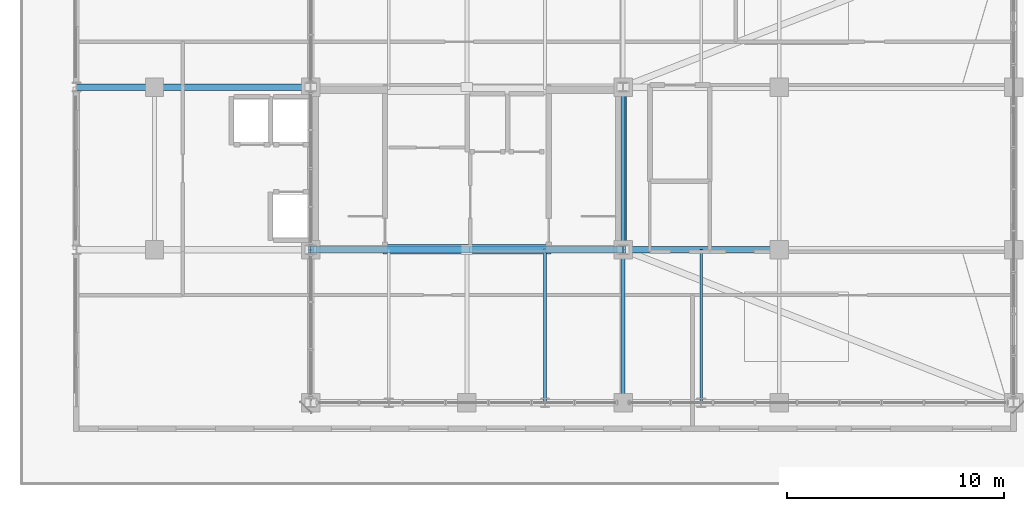
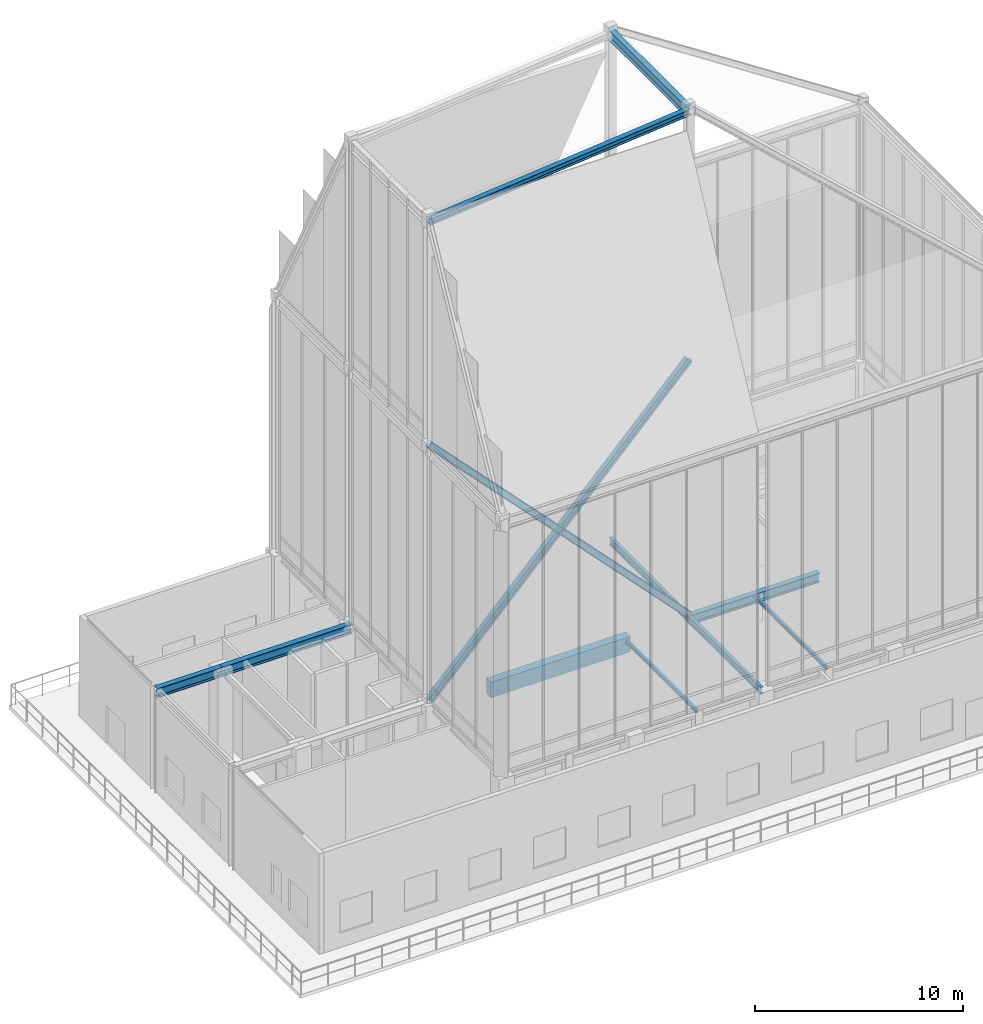
# One storey, part 16 of 49: 9 beams, 4 members.
"""IFC4 building model written with IfcOpenShell, lengths in metres."""

from ifc_helpers import new_model, si_unit, direction, frame, origin, origin_2d, place, context, subcontext, project, spatial, rectangle, i_section, extrude, source, transform, mapped, material, material_profile, profile_set, type_object, element, save


model = new_model("IFC4")

# Units and contexts
model_context = context("Model", 3, precision=1e-05, world=origin(), true_north=direction((0.0, 1.0)))
body_context = subcontext(model_context, "Body", "Model", "MODEL_VIEW")
ifc_project = project(units=[si_unit("LENGTHUNIT", "METRE"), si_unit("AREAUNIT", "SQUARE_METRE"), si_unit("VOLUMEUNIT", "CUBIC_METRE"), si_unit("PLANEANGLEUNIT", "RADIAN"), si_unit("MASSUNIT", "GRAM", prefix="KILO")], contexts=[model_context])

# Site, building, storey
site_placement = place(None, origin())
site = spatial("IfcSite", under=ifc_project, at=site_placement, CompositionType="ELEMENT")
building_placement = place(site_placement, origin())
building = spatial("IfcBuilding", under=site, at=building_placement, Name="Kaliganga Portal Commons", CompositionType="ELEMENT")
storey_placement = place(building_placement, frame((0.0, 0.0, 298.0)))
storey = spatial("IfcBuildingStorey", under=building, at=storey_placement, Name="L77", CompositionType="ELEMENT", Elevation=298.0)

# Beams
ifc_material_1 = material(Name="Concrete C50/60", Category="concrete")
ifc_material_profile_1 = material_profile(ifc_material_1, rectangle(XDim=0.449951171875, YDim=0.89990234375, at=origin_2d()), Name="RC 450x900")
ifc_profile_set_1 = profile_set([ifc_material_profile_1], Name="Concrete C50/60")
beam_type_1 = type_object("IfcBeamType", Name="BM-CPL-900", PredefinedType="LINTEL", material=ifc_profile_set_1)
shared_shape_1 = source(origin(), body_context, "Body", "SweptSolid", [
    extrude(rectangle(XDim=0.449951171875, YDim=0.89990234375, at=origin_2d()), origin(), (0.0, 0.0, 1.0), 7.739990234375),
])
beam_1_placement = place(storey_placement, frame((17.72998046875, 28.675048828125, 5.550048828125), z_axis=(1.0, 0.0, 0.0), x_axis=(0.0, 1.0, 0.0)))
element("IfcBeam", 1, at=beam_1_placement, inside=storey, type_object=beam_type_1, Name="BM CPL COREA L77 S", PredefinedType="LINTEL", context=body_context, shape_type="MappedRepresentation", body=[
    mapped(shared_shape_1, transform((0.0, 0.0, 0.0), x_axis=(1.0, 0.0, 0.0), y_axis=(0.0, 1.0, 0.0), z_axis=(0.0, 0.0, 1.0), scale=1.0)),
])
ifc_material_2 = material(Name="Structural steel S355J2", Category="steel")
ifc_material_profile_2 = material_profile(ifc_material_2, i_section(OverallWidth=0.300048828125, OverallDepth=0.550048828125, WebThickness=0.014892578125, FlangeThickness=0.029052734375, FilletRadius=0.027099609375, at=origin_2d()), Name="HE 550 B")
ifc_profile_set_2 = profile_set([ifc_material_profile_2], Name="Structural steel S355J2 wide-flange")
beam_type_2 = type_object("IfcBeamType", Name="BM-GIRD-550", PredefinedType="USERDEFINED", material=ifc_profile_set_2)
shared_shape_2 = source(origin(), body_context, "Body", "SweptSolid", [
    extrude(i_section(OverallWidth=0.300048828125, OverallDepth=0.550048828125, WebThickness=0.014892578125, FlangeThickness=0.029052734375, FilletRadius=0.027099609375, at=origin_2d()), origin(), (0.0, 0.0, 1.0), 7.199951171875),
])
for number, where, z_axis, x_axis, name in (
    (2, (7.199951171875, 36.14990234375, 5.72509765625), (1.0, 0.0, 0.0), (0.0, 1.0, 0.0), "BM G L77 WAH_N 2"),
    (3, (28.800048828125, 28.64990234375, 5.72509765625), (1.0, 0.0, 0.0), (0.0, 1.0, 0.0), "BM G L77 WAE_S 1"),
):
    element("IfcBeam", number, at=place(storey_placement, frame(where, z_axis=z_axis, x_axis=x_axis)), inside=storey, type_object=beam_type_2, Name=name, ObjectType="GIRDER", PredefinedType="USERDEFINED", context=body_context, shape_type="MappedRepresentation", body=[
        mapped(shared_shape_2, transform((0.0, 0.0, 0.0), x_axis=(1.0, 0.0, 0.0), y_axis=(0.0, 1.0, 0.0), z_axis=(0.0, 0.0, 1.0), scale=1.0)),
    ])
shared_shape_3 = source(origin(), body_context, "Body", "SweptSolid", [
    extrude(i_section(OverallWidth=0.300048828125, OverallDepth=0.550048828125, WebThickness=0.014892578125, FlangeThickness=0.029052734375, FilletRadius=0.027099609375, at=origin_2d()), origin(), (0.0, 0.0, 1.0), 3.599853515625),
])
beam_2_placement = place(storey_placement, frame((3.60009765625, 36.14990234375, 5.72509765625), z_axis=(1.0, 0.0, 0.0), x_axis=(0.0, 1.0, 0.0)))
element("IfcBeam", 4, at=beam_2_placement, inside=storey, type_object=beam_type_2, Name="BM G L77 WAH_N 1", ObjectType="GIRDER", PredefinedType="USERDEFINED", context=body_context, shape_type="MappedRepresentation", body=[
    mapped(shared_shape_3, transform((0.0, 0.0, 0.0), x_axis=(1.0, 0.0, 0.0), y_axis=(0.0, 1.0, 0.0), z_axis=(0.0, 0.0, 1.0), scale=1.0)),
])
ifc_material_profile_3 = material_profile(ifc_material_2, i_section(OverallWidth=0.179931640625, OverallDepth=0.39990234375, WebThickness=0.008544921875, FlangeThickness=0.013427734375, FilletRadius=0.02099609375, at=origin_2d()), Name="IPE 400")
ifc_profile_set_3 = profile_set([ifc_material_profile_3], Name="Structural steel S355J2 wide-flange")
beam_type_3 = type_object("IfcBeamType", Name="BM-FLR-400", PredefinedType="BEAM", material=ifc_profile_set_3)
shared_shape_4 = source(origin(), body_context, "Body", "SweptSolid", [
    extrude(i_section(OverallWidth=0.179931640625, OverallDepth=0.39990234375, WebThickness=0.008544921875, FlangeThickness=0.013427734375, FilletRadius=0.02099609375, at=origin_2d()), origin(), (0.0, 0.0, 1.0), 7.5),
])
beam_3_placement = place(storey_placement, frame((28.800048828125, 28.64990234375, 5.800048828125), z_axis=(0.0, 1.0, 0.0), x_axis=(-1.0, 0.0, 0.0)))
element("IfcBeam", 5, at=beam_3_placement, inside=storey, type_object=beam_type_3, Name="BM G L77 AM288", PredefinedType="BEAM", context=body_context, shape_type="MappedRepresentation", body=[
    mapped(shared_shape_4, transform((0.0, 0.0, 0.0), x_axis=(1.0, 0.0, 0.0), y_axis=(0.0, 1.0, 0.0), z_axis=(0.0, 0.0, 1.0), scale=1.0)),
])
shared_shape_5 = source(origin(), body_context, "Body", "SweptSolid", [
    extrude(i_section(OverallWidth=0.179931640625, OverallDepth=0.39990234375, WebThickness=0.008544921875, FlangeThickness=0.013427734375, FilletRadius=0.02099609375, at=origin_2d()), origin(), (0.0, 0.0, 1.0), 7.0498046875),
])
beam_4_placement = place(storey_placement, frame((28.800048828125, 21.60009765625, 5.800048828125), z_axis=(0.0, 1.0, 0.0), x_axis=(-1.0, 0.0, 0.0)))
element("IfcBeam", 6, at=beam_4_placement, inside=storey, type_object=beam_type_3, Name="BM G L77 AS288", PredefinedType="BEAM", context=body_context, shape_type="MappedRepresentation", body=[
    mapped(shared_shape_5, transform((0.0, 0.0, 0.0), x_axis=(1.0, 0.0, 0.0), y_axis=(0.0, 1.0, 0.0), z_axis=(0.0, 0.0, 1.0), scale=1.0)),
])
ifc_material_profile_4 = material_profile(ifc_material_2, i_section(OverallWidth=0.1201171875, OverallDepth=0.239990234375, WebThickness=0.006103515625, FlangeThickness=0.009765625, FilletRadius=0.014892578125, at=origin_2d()), Name="IPE 240")
ifc_profile_set_4 = profile_set([ifc_material_profile_4], Name="Structural steel S355J2 wide-flange")
beam_type_4 = type_object("IfcBeamType", Name="BM-JST-240", PredefinedType="JOIST", material=ifc_profile_set_4)
shared_shape_6 = source(origin(), body_context, "Body", "SweptSolid", [
    extrude(i_section(OverallWidth=0.1201171875, OverallDepth=0.239990234375, WebThickness=0.006103515625, FlangeThickness=0.009765625, FilletRadius=0.014892578125, at=origin_2d()), origin(), (0.0, 0.0, 1.0), 7.074951171875),
])
beam_5_placement = place(storey_placement, frame((25.199951171875, 21.60009765625, 5.8798828125), z_axis=(0.0, 1.0, 0.0), x_axis=(-1.0, 0.0, 0.0)))
element("IfcBeam", 7, at=beam_5_placement, inside=storey, type_object=beam_type_4, Name="BM G L77 AS252", PredefinedType="JOIST", context=body_context, shape_type="MappedRepresentation", body=[
    mapped(shared_shape_6, transform((0.0, 0.0, 0.0), x_axis=(1.0, 0.0, 0.0), y_axis=(0.0, 1.0, 0.0), z_axis=(0.0, 0.0, 1.0), scale=1.0)),
])
shared_shape_7 = source(origin(), body_context, "Body", "SweptSolid", [
    extrude(i_section(OverallWidth=0.1201171875, OverallDepth=0.239990234375, WebThickness=0.006103515625, FlangeThickness=0.009765625, FilletRadius=0.014892578125, at=origin_2d()), origin(), (0.0, 0.0, 1.0), 7.0498046875),
])
beam_6_placement = place(storey_placement, frame((32.39990234375, 21.60009765625, 5.8798828125), z_axis=(0.0, 1.0, 0.0), x_axis=(-1.0, 0.0, 0.0)))
element("IfcBeam", 8, at=beam_6_placement, inside=storey, type_object=beam_type_4, Name="BM G L77 AS324", PredefinedType="JOIST", context=body_context, shape_type="MappedRepresentation", body=[
    mapped(shared_shape_7, transform((0.0, 0.0, 0.0), x_axis=(1.0, 0.0, 0.0), y_axis=(0.0, 1.0, 0.0), z_axis=(0.0, 0.0, 1.0), scale=1.0)),
])
ifc_material_3 = material(Name="Structural steel S460M", Category="steel")
ifc_material_profile_5 = material_profile(ifc_material_3, i_section(OverallWidth=0.300048828125, OverallDepth=0.60009765625, WebThickness=0.015380859375, FlangeThickness=0.030029296875, FilletRadius=0.027099609375, at=origin_2d()), Name="HE 600 B")
ifc_profile_set_5 = profile_set([ifc_material_profile_5], Name="Structural steel S460M wide-flange")
beam_type_5 = type_object("IfcBeamType", Name="BM-CROWN-RING", PredefinedType="USERDEFINED", material=ifc_profile_set_5)
shared_shape_8 = source(origin(), body_context, "Body", "SweptSolid", [
    extrude(i_section(OverallWidth=0.300048828125, OverallDepth=0.60009765625, WebThickness=0.015380859375, FlangeThickness=0.030029296875, FilletRadius=0.027099609375, at=origin_2d()), origin(), (0.0, 0.0, 1.0), 7.5),
])
beam_7_placement = place(storey_placement, frame((28.800048828125, 28.64990234375, 35.510009765625), z_axis=(0.0, 1.0, 0.0), x_axis=(-1.0, 0.0, 0.0)))
element("IfcBeam", 9, at=beam_7_placement, inside=storey, type_object=beam_type_5, Name="BM CROWN PEAK E", ObjectType="CROWN FRAME", PredefinedType="USERDEFINED", context=body_context, shape_type="MappedRepresentation", body=[
    mapped(shared_shape_8, transform((0.0, 0.0, 0.0), x_axis=(1.0, 0.0, 0.0), y_axis=(0.0, 1.0, 0.0), z_axis=(0.0, 0.0, 1.0), scale=1.0)),
])

# Members
ifc_material_profile_6 = material_profile(ifc_material_3, i_section(OverallWidth=0.300048828125, OverallDepth=0.360107421875, WebThickness=0.012451171875, FlangeThickness=0.0224609375, FilletRadius=0.027099609375, at=origin_2d()), Name="HE 360 B")
ifc_profile_set_6 = profile_set([ifc_material_profile_6], Name="Structural steel S460M wide-flange")
member_type = type_object("IfcMemberType", Name="MBR-CROWN-DIAG", PredefinedType="BRACE", material=ifc_profile_set_6)
shared_shape_9 = source(origin(), body_context, "Body", "SweptSolid", [
    extrude(i_section(OverallWidth=0.300048828125, OverallDepth=0.360107421875, WebThickness=0.012451171875, FlangeThickness=0.0224609375, FilletRadius=0.027099609375, at=origin_2d()), origin(), (0.0, 0.0, 1.0), 20.79345703125),
])
member_1_placement = place(storey_placement, frame((14.39990234375, 28.64990234375, 6.0), z_axis=(0.692535494273, 0.0, 0.721383801573), x_axis=(0.0, 1.0, 0.0)))
element("IfcMember", 10, at=member_1_placement, inside=storey, type_object=member_type, Name="Crown Frame Diagrid Brace CRD-05", PredefinedType="BRACE", context=body_context, shape_type="MappedRepresentation", body=[
    mapped(shared_shape_9, transform((0.0, 0.0, 0.0), x_axis=(1.0, 0.0, 0.0), y_axis=(0.0, 1.0, 0.0), z_axis=(0.0, 0.0, 1.0), scale=1.0)),
])
shared_shape_10 = source(origin(), body_context, "Body", "SweptSolid", [
    extrude(i_section(OverallWidth=0.300048828125, OverallDepth=0.360107421875, WebThickness=0.012451171875, FlangeThickness=0.0224609375, FilletRadius=0.027099609375, at=origin_2d()), origin(), (0.0, 0.0, 1.0), 10.396484375),
])
member_2_placement = place(storey_placement, frame((28.800048828125, 28.64990234375, 6.0), z_axis=(-0.692529384104, 0.0, 0.721389667345), x_axis=(0.0, -1.0, 0.0)))
element("IfcMember", 11, at=member_2_placement, inside=storey, type_object=member_type, Name="Crown Frame Diagrid Brace CRD-06A", PredefinedType="BRACE", context=body_context, shape_type="MappedRepresentation", body=[
    mapped(shared_shape_10, transform((0.0, 0.0, 0.0), x_axis=(1.0, 0.0, 0.0), y_axis=(0.0, 1.0, 0.0), z_axis=(0.0, 0.0, 1.0), scale=1.0)),
])
shared_shape_11 = source(origin(), body_context, "Body", "SweptSolid", [
    extrude(i_section(OverallWidth=0.300048828125, OverallDepth=0.360107421875, WebThickness=0.012451171875, FlangeThickness=0.0224609375, FilletRadius=0.027099609375, at=origin_2d()), origin(), (0.0, 0.0, 1.0), 10.396728515625),
])
member_3_placement = place(storey_placement, frame((21.60009765625, 28.64990234375, 13.5), z_axis=(-0.692541604294, 0.0, 0.721377935844), x_axis=(0.0, -1.0, 0.0)))
element("IfcMember", 12, at=member_3_placement, inside=storey, type_object=member_type, Name="Crown Frame Diagrid Brace CRD-06B", PredefinedType="BRACE", context=body_context, shape_type="MappedRepresentation", body=[
    mapped(shared_shape_11, transform((0.0, 0.0, 0.0), x_axis=(1.0, 0.0, 0.0), y_axis=(0.0, 1.0, 0.0), z_axis=(0.0, 0.0, 1.0), scale=1.0)),
])
shared_shape_12 = source(origin(), body_context, "Body", "SweptSolid", [
    extrude(i_section(OverallWidth=0.300048828125, OverallDepth=0.360107421875, WebThickness=0.012451171875, FlangeThickness=0.0224609375, FilletRadius=0.027099609375, at=origin_2d()), origin(), (0.0, 0.0, 1.0), 14.468017578125),
])
member_4_placement = place(storey_placement, frame((14.39990234375, 28.64990234375, 34.110107421875), z_axis=(0.995307906627, 0.0, 0.096758312337), x_axis=(0.0, 1.0, 0.0)))
element("IfcMember", 13, at=member_4_placement, inside=storey, type_object=member_type, Name="Crown Frame Diagrid Brace CRD-09S", PredefinedType="BRACE", context=body_context, shape_type="MappedRepresentation", body=[
    mapped(shared_shape_12, transform((0.0, 0.0, 0.0), x_axis=(1.0, 0.0, 0.0), y_axis=(0.0, 1.0, 0.0), z_axis=(0.0, 0.0, 1.0), scale=1.0)),
])

save(model, "model.ifc")
